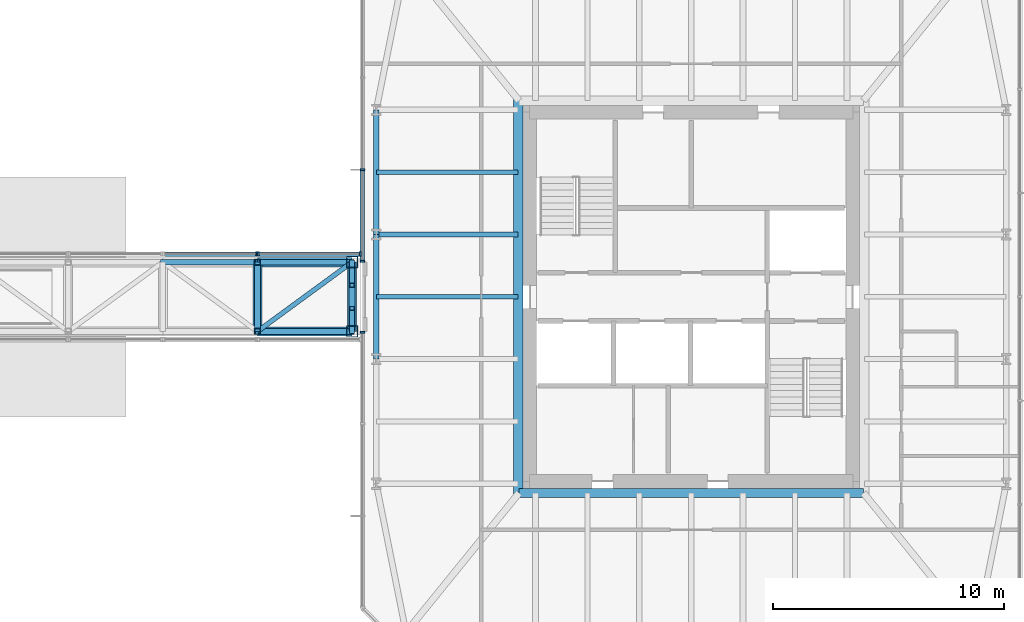
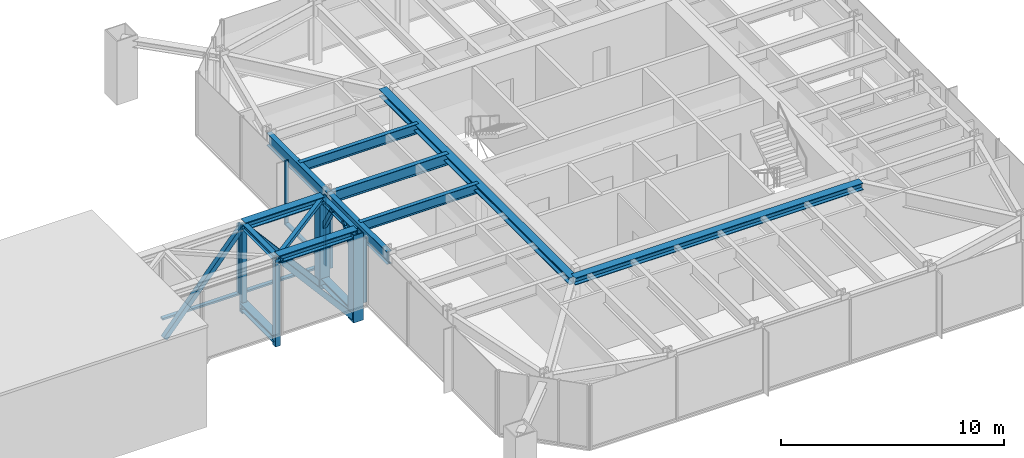
# One storey, part 11 of 28: 21 members, 11 beams, 4 elements without a shape of their own.
"""IFC4 building model written with IfcOpenShell, lengths in metres."""

from ifc_helpers import new_model, si_unit, direction, frame, origin, origin_2d, place, context, subcontext, project, spatial, rectangle, hollow_rectangle, i_section, extrude, material, material_profile, profile_set, type_object, element, aggregate, save


model = new_model("IFC4")

# Units and contexts
model_context = context("Model", 3, precision=1e-05, world=origin(), true_north=direction((0.0, 1.0)))
body_context = subcontext(model_context, "Body", "Model", "MODEL_VIEW")
ifc_project = project(units=[si_unit("LENGTHUNIT", "METRE"), si_unit("AREAUNIT", "SQUARE_METRE"), si_unit("VOLUMEUNIT", "CUBIC_METRE"), si_unit("PLANEANGLEUNIT", "RADIAN"), si_unit("MASSUNIT", "GRAM", prefix="KILO")], contexts=[model_context])

# Site, building, storey
site_placement = place(None, origin())
site = spatial("IfcSite", under=ifc_project, at=site_placement, CompositionType="ELEMENT")
building_placement = place(site_placement, origin())
building = spatial("IfcBuilding", under=site, at=building_placement, Name="Iwan Alto Co-Living Towers", CompositionType="ELEMENT")
storey_placement = place(building_placement, frame((0.0, 0.0, 98.0)))
storey = spatial("IfcBuildingStorey", under=building, at=storey_placement, Name="L26", CompositionType="ELEMENT", Elevation=98.0)

# Members
ifc_material_1 = material(Name="Steel ASTM A572 Gr 50", Category="steel")
ifc_material_profile_1 = material_profile(ifc_material_1, hollow_rectangle(XDim=0.5, YDim=0.5, WallThickness=0.031982421875, at=origin_2d()), Name="BOX 500X500X32")
ifc_profile_set_1 = profile_set([ifc_material_profile_1], Name="Steel ASTM A572 Gr 50")
member_type_1 = type_object("IfcMemberType", Name="BRIDGE END POST BOX 500X500X32", PredefinedType="POST", material=ifc_profile_set_1)
for number, where, z_axis, x_axis, name in (
    (1, (48.300048828125, -1.5, -0.779052734375), (0.0, 0.0, 1.0), (1.0, 0.0, 0.0), "BR1 truss S end post 2"),
    (2, (48.300048828125, 1.5, -0.779052734375), (0.0, 0.0, 1.0), (1.0, 0.0, 0.0), "BR1 truss N end post 2"),
):
    element("IfcMember", number, at=place(storey_placement, frame(where, z_axis=z_axis, x_axis=x_axis)), inside=storey, type_object=member_type_1, Name=name, PredefinedType="POST", context=body_context, shape_type="SweptSolid", body=[
        extrude(hollow_rectangle(XDim=0.5, YDim=0.5, WallThickness=0.031982421875, at=origin_2d()), origin(), (0.0, 0.0, 1.0), 4.779052734375),
    ])

# Beams
ifc_material_2 = material(Name="Steel ASTM A992 Gr 50", Category="steel")
ifc_material_profile_2 = material_profile(ifc_material_2, i_section(OverallWidth=0.393798828125, OverallDepth=0.3759765625, WebThickness=0.017333984375, FlangeThickness=0.027587890625, at=origin_2d()), Name="W14X145")
ifc_profile_set_2 = profile_set([ifc_material_profile_2], Name="Steel ASTM A992 Gr 50")
beam_type_1 = type_object("IfcBeamType", Name="BRIDGE FLOOR BEAM W14X145", PredefinedType="BEAM", material=ifc_profile_set_2)
for number, where, z_axis, x_axis, name in (
    (3, (44.199951171875, -1.5, -0.387939453125), (0.0, 1.0, 0.0), (-1.0, 0.0, 0.0), "BR1 floor beam 4"),
    (4, (48.300048828125, -1.5, -0.387939453125), (0.0, 1.0, 0.0), (-1.0, 0.0, 0.0), "BR1 floor beam 5"),
):
    element("IfcBeam", number, at=place(storey_placement, frame(where, z_axis=z_axis, x_axis=x_axis)), inside=storey, type_object=beam_type_1, Name=name, PredefinedType="BEAM", context=body_context, shape_type="SweptSolid", body=[
        extrude(i_section(OverallWidth=0.393798828125, OverallDepth=0.3759765625, WebThickness=0.017333984375, FlangeThickness=0.027587890625, at=origin_2d()), origin(), (0.0, 0.0, 1.0), 3.0),
    ])

# Members
ifc_material_3 = material(Name="Steel ASTM A500 Gr C", Category="steel")
ifc_material_profile_3 = material_profile(ifc_material_3, hollow_rectangle(XDim=0.203125, YDim=0.203125, WallThickness=0.01171875, at=origin_2d()), Name="HSS8X8X1/2")
ifc_profile_set_3 = profile_set([ifc_material_profile_3], Name="Steel ASTM A500 Gr C")
member_type_2 = type_object("IfcMemberType", Name="BRIDGE PORTAL KNEE BRACE HSS8X8X1/2", PredefinedType="BRACE", material=ifc_profile_set_3)
for number, where, z_axis, x_axis, name in (
    (5, (48.300048828125, -1.5, 2.300048828125), (0.0, 0.50703094594, 0.861927850727), (-1.0, 0.0, 0.0), "BR1 end portal knee brace T2 S"),
    (6, (48.300048828125, 1.5, 2.300048828125), (0.0, -0.50703094594, 0.861927850727), (1.0, 0.0, 0.0), "BR1 end portal knee brace T2 N"),
):
    element("IfcMember", number, at=place(storey_placement, frame(where, z_axis=z_axis, x_axis=x_axis)), inside=storey, type_object=member_type_2, Name=name, PredefinedType="BRACE", context=body_context, shape_type="SweptSolid", body=[
        extrude(hollow_rectangle(XDim=0.203125, YDim=0.203125, WallThickness=0.01171875, at=origin_2d()), origin(), (0.0, 0.0, 1.0), 1.97216796875),
    ])

# Beams
ifc_material_4 = material(Name="Steel ASTM A992 Gr 50", Category="steel")
ifc_material_profile_4 = material_profile(ifc_material_4, i_section(OverallWidth=0.25390625, OverallDepth=0.307373046875, WebThickness=0.0087890625, FlangeThickness=0.0146484375, at=origin_2d()), Name="W12X53")
ifc_profile_set_4 = profile_set([ifc_material_profile_4], Name="Steel ASTM A992 Gr 50")
beam_type_2 = type_object("IfcBeamType", Name="BRIDGE ROOF BEAM W12X53", PredefinedType="BEAM", material=ifc_profile_set_4)
for number, where, z_axis, x_axis, name in (
    (7, (44.199951171875, -1.5, 4.0), (0.0, 1.0, 0.0), (-1.0, 0.0, 0.0), "BR1 roof beam 4"),
    (8, (48.300048828125, -1.5, 4.0), (0.0, 1.0, 0.0), (-1.0, 0.0, 0.0), "BR1 roof beam 5"),
):
    element("IfcBeam", number, at=place(storey_placement, frame(where, z_axis=z_axis, x_axis=x_axis)), inside=storey, type_object=beam_type_2, Name=name, PredefinedType="BEAM", context=body_context, shape_type="SweptSolid", body=[
        extrude(i_section(OverallWidth=0.25390625, OverallDepth=0.307373046875, WebThickness=0.0087890625, FlangeThickness=0.0146484375, at=origin_2d()), origin(), (0.0, 0.0, 1.0), 3.0),
    ])

# Members
ifc_material_5 = material(Name="Steel ASTM A500 Gr C", Category="steel")
ifc_material_profile_5 = material_profile(ifc_material_5, hollow_rectangle(XDim=0.203125, YDim=0.203125, WallThickness=0.01171875, at=origin_2d()), Name="HSS8X8X1/2")
ifc_profile_set_5 = profile_set([ifc_material_profile_5], Name="Steel ASTM A500 Gr C")
member_type_3 = type_object("IfcMemberType", Name="BRIDGE TOP LATERAL BRACE HSS8X8X1/2", PredefinedType="BRACE", material=ifc_profile_set_5)
member_1_placement = place(storey_placement, frame((44.199951171875, -1.5, 4.0), z_axis=(0.807037028369, 0.590500833905, 0.0), x_axis=(-0.590500833905, 0.807037028369, 0.0)))
element("IfcMember", 9, at=member_1_placement, inside=storey, type_object=member_type_3, Name="BR1 top lateral brace 4", PredefinedType="BRACE", context=body_context, shape_type="SweptSolid", body=[
    extrude(hollow_rectangle(XDim=0.203125, YDim=0.203125, WallThickness=0.01171875, at=origin_2d()), origin(), (0.0, 0.0, 1.0), 5.080322265625),
])
ifc_material_6 = material(Name="Steel ASTM A992 Gr 50", Category="steel")
ifc_material_profile_6 = material_profile(ifc_material_6, i_section(OverallWidth=0.40380859375, OverallDepth=0.406494140625, WebThickness=0.027099609375, FlangeThickness=0.043701171875, at=origin_2d()), Name="W14X233")
ifc_profile_set_6 = profile_set([ifc_material_profile_6], Name="Steel ASTM A992 Gr 50")
member_type_4 = type_object("IfcMemberType", Name="BRIDGE TRUSS CHORD W14X233", PredefinedType="CHORD", material=ifc_profile_set_6)
for number, where, z_axis, x_axis, name in (
    (10, (44.199951171875, -1.5, 4.0), (1.0, 0.0, 0.0), (0.0, 1.0, 0.0), "BR1 truss S top chord 4"),
    (11, (44.199951171875, 1.5, 4.0), (1.0, 0.0, 0.0), (0.0, 1.0, 0.0), "BR1 truss N top chord 4"),
):
    element("IfcMember", number, at=place(storey_placement, frame(where, z_axis=z_axis, x_axis=x_axis)), inside=storey, type_object=member_type_4, Name=name, PredefinedType="CHORD", context=body_context, shape_type="SweptSolid", body=[
        extrude(i_section(OverallWidth=0.40380859375, OverallDepth=0.406494140625, WebThickness=0.027099609375, FlangeThickness=0.043701171875, at=origin_2d()), origin(), (0.0, 0.0, 1.0), 4.10009765625),
    ])
ifc_material_7 = material(Name="Steel ASTM A500 Gr C", Category="steel")
ifc_material_profile_7 = material_profile(ifc_material_7, hollow_rectangle(XDim=0.25390625, YDim=0.25390625, WallThickness=0.01171875, at=origin_2d()), Name="HSS10X10X1/2")
ifc_profile_set_7 = profile_set([ifc_material_profile_7], Name="Steel ASTM A500 Gr C")
member_type_5 = type_object("IfcMemberType", Name="BRIDGE TRUSS VERTICAL HSS10X10X1/2", PredefinedType="POST", material=ifc_profile_set_7)
for number, where, z_axis, x_axis, name in (
    (12, (44.199951171875, -1.5, -0.779052734375), (0.0, 0.0, 1.0), (1.0, 0.0, 0.0), "BR1 truss S vertical 2"),
    (13, (44.199951171875, 1.5, -0.779052734375), (0.0, 0.0, 1.0), (1.0, 0.0, 0.0), "BR1 truss N vertical 2"),
):
    element("IfcMember", number, at=place(storey_placement, frame(where, z_axis=z_axis, x_axis=x_axis)), inside=storey, type_object=member_type_5, Name=name, PredefinedType="POST", context=body_context, shape_type="SweptSolid", body=[
        extrude(hollow_rectangle(XDim=0.25390625, YDim=0.25390625, WallThickness=0.01171875, at=origin_2d()), origin(), (0.0, 0.0, 1.0), 4.779052734375),
    ])
ifc_material_8 = material(Name="Steel ASTM A500 Gr C", Category="steel")
ifc_material_profile_8 = material_profile(ifc_material_8, hollow_rectangle(XDim=0.25390625, YDim=0.25390625, WallThickness=0.01171875, at=origin_2d()), Name="HSS10X10X1/2")
ifc_profile_set_8 = profile_set([ifc_material_profile_8], Name="Steel ASTM A500 Gr C")
member_type_6 = type_object("IfcMemberType", Name="BRIDGE TRUSS WEB HSS10X10X1/2", PredefinedType="BRACE", material=ifc_profile_set_8)
member_2_placement = place(storey_placement, frame((44.199951171875, -1.5, 4.0), z_axis=(0.651136148628, 0.0, -0.758960944944), x_axis=(0.0, 1.0, 0.0)))
element("IfcMember", 14, at=member_2_placement, inside=storey, type_object=member_type_6, Name="BR1 truss S diagonal 4", PredefinedType="BRACE", context=body_context, shape_type="SweptSolid", body=[
    extrude(hollow_rectangle(XDim=0.25390625, YDim=0.25390625, WallThickness=0.01171875, at=origin_2d()), origin(), (0.0, 0.0, 1.0), 6.296875),
])
member_3_placement = place(storey_placement, frame((40.10009765625, 1.5, -0.779052734375), z_axis=(0.651113814296, 0.0, 0.75898010569), x_axis=(0.0, 1.0, 0.0)))
element("IfcMember", 15, at=member_3_placement, inside=storey, type_object=member_type_6, Name="BR1 truss N diagonal 3", PredefinedType="BRACE", context=body_context, shape_type="SweptSolid", body=[
    extrude(hollow_rectangle(XDim=0.25390625, YDim=0.25390625, WallThickness=0.01171875, at=origin_2d()), origin(), (0.0, 0.0, 1.0), 6.296630859375),
])
member_4_placement = place(storey_placement, frame((44.199951171875, 1.5, 4.0), z_axis=(0.651136148628, 0.0, -0.758960944944), x_axis=(0.0, 1.0, 0.0)))
element("IfcMember", 16, at=member_4_placement, inside=storey, type_object=member_type_6, Name="BR1 truss N diagonal 4", PredefinedType="BRACE", context=body_context, shape_type="SweptSolid", body=[
    extrude(hollow_rectangle(XDim=0.25390625, YDim=0.25390625, WallThickness=0.01171875, at=origin_2d()), origin(), (0.0, 0.0, 1.0), 6.296875),
])

# Curtain wall, members
ifc_material_9 = material(Name="Bronze aluminium unitised frame", Category="aluminium")
curtain_wall_type_1 = type_object("IfcCurtainWallType", Name="CURTAIN WALL CW-C", PredefinedType="NOTDEFINED", material=ifc_material_9)
curtain_wall_1_placement = place(storey_placement, origin())
curtain_wall_1 = element("IfcCurtainWall", 17, at=curtain_wall_1_placement, inside=storey, type_object=curtain_wall_type_1, Name="T2 curtain wall W L26 part 1", PredefinedType="NOTDEFINED")
ifc_material_10 = material(Name="Aluminium 6063-T6 bronze anodised", Category="aluminium")
ifc_material_profile_9 = material_profile(ifc_material_10, rectangle(XDim=0.199951171875, YDim=0.080078125, at=origin_2d()), Name="AL 80X200")
ifc_profile_set_9 = profile_set([ifc_material_profile_9], Name="Aluminium 6063-T6 bronze anodised")
member_type_7 = type_object("IfcMemberType", Name="CW-C MULLION 80X200", PredefinedType="MULLION", material=ifc_profile_set_9)
member_5_placement = place(storey_placement, frame((48.75, 5.5, 0.0), z_axis=(0.0, 0.0, 1.0), x_axis=(1.0, 0.0, 0.0)))
member_5 = element("IfcMember", 18, at=member_5_placement, type_object=member_type_7, Name="CW-C mullion 3", PredefinedType="MULLION", context=body_context, shape_type="SweptSolid", body=[
    extrude(rectangle(XDim=0.199951171875, YDim=0.080078125, at=origin_2d()), origin(), (0.0, 0.0, 1.0), 3.5),
])
member_6_placement = place(storey_placement, frame((48.75, 1.5400390625, 0.0), z_axis=(0.0, 0.0, 1.0), x_axis=(1.0, 0.0, 0.0)))
member_6 = element("IfcMember", 19, at=member_6_placement, type_object=member_type_7, Name="CW-C mullion 4", PredefinedType="MULLION", context=body_context, shape_type="SweptSolid", body=[
    extrude(rectangle(XDim=0.199951171875, YDim=0.080078125, at=origin_2d()), origin(), (0.0, 0.0, 1.0), 3.5),
])

# Curtain wall, member
curtain_wall_2_placement = place(storey_placement, origin())
curtain_wall_2 = element("IfcCurtainWall", 20, at=curtain_wall_2_placement, inside=storey, type_object=curtain_wall_type_1, Name="T2 curtain wall W L26 part 2", PredefinedType="NOTDEFINED")
member_7_placement = place(storey_placement, frame((48.75, -1.5400390625, 0.0), z_axis=(0.0, 0.0, 1.0), x_axis=(1.0, 0.0, 0.0)))
member_7 = element("IfcMember", 21, at=member_7_placement, type_object=member_type_7, Name="CW-C mullion 1", PredefinedType="MULLION", context=body_context, shape_type="SweptSolid", body=[
    extrude(rectangle(XDim=0.199951171875, YDim=0.080078125, at=origin_2d()), origin(), (0.0, 0.0, 1.0), 3.5),
])
aggregate(curtain_wall_2, [member_7])

# Member
ifc_material_11 = material(Name="Aluminium 6063-T6 bronze anodised", Category="aluminium")
ifc_material_profile_10 = material_profile(ifc_material_11, rectangle(XDim=0.199951171875, YDim=0.10009765625, at=origin_2d()), Name="AL 200X100")
ifc_profile_set_10 = profile_set([ifc_material_profile_10], Name="Aluminium 6063-T6 bronze anodised")
member_type_8 = type_object("IfcMemberType", Name="CW-C TRANSOM 200X100", PredefinedType="USERDEFINED", material=ifc_profile_set_10)
member_8_placement = place(storey_placement, frame((48.75, 5.4599609375, 0.050048828125), z_axis=(0.0, -1.0, 0.0), x_axis=(1.0, 0.0, 0.0)))
member_8 = element("IfcMember", 22, at=member_8_placement, type_object=member_type_8, Name="CW-C transom 3.1", ObjectType="TRANSOM", PredefinedType="USERDEFINED", context=body_context, shape_type="SweptSolid", body=[
    extrude(rectangle(XDim=0.199951171875, YDim=0.10009765625, at=origin_2d()), origin(), (0.0, 0.0, 1.0), 3.8798828125),
])

aggregate(curtain_wall_1, [member_5, member_6, member_8])

# Curtain wall, member
ifc_material_12 = material(Name="Bronze aluminium stick frame", Category="aluminium")
curtain_wall_type_2 = type_object("IfcCurtainWallType", Name="CURTAIN WALL CW-F", PredefinedType="NOTDEFINED", material=ifc_material_12)
curtain_wall_3_placement = place(storey_placement, origin())
curtain_wall_3 = element("IfcCurtainWall", 23, at=curtain_wall_3_placement, inside=storey, type_object=curtain_wall_type_2, Name="Skybridge BR1 glazing N 3", PredefinedType="NOTDEFINED")
ifc_material_13 = material(Name="Aluminium 6063-T6 bronze anodised", Category="aluminium")
ifc_material_profile_11 = material_profile(ifc_material_13, rectangle(XDim=0.199951171875, YDim=0.080078125, at=origin_2d()), Name="AL 80X200")
ifc_profile_set_11 = profile_set([ifc_material_profile_11], Name="Aluminium 6063-T6 bronze anodised")
member_type_9 = type_object("IfcMemberType", Name="CW-F MULLION 80X200", PredefinedType="MULLION", material=ifc_profile_set_11)
member_9_placement = place(storey_placement, frame((44.159912109375, 1.85009765625, 0.0), z_axis=(0.0, 0.0, 1.0), x_axis=(0.0, -1.0, 0.0)))
member_9 = element("IfcMember", 24, at=member_9_placement, type_object=member_type_9, Name="CW-F mullion 1", PredefinedType="MULLION", context=body_context, shape_type="SweptSolid", body=[
    extrude(rectangle(XDim=0.199951171875, YDim=0.080078125, at=origin_2d()), origin(), (0.0, 0.0, 1.0), 3.85009765625),
])

# Curtain wall, members
curtain_wall_4_placement = place(storey_placement, origin())
curtain_wall_4 = element("IfcCurtainWall", 25, at=curtain_wall_4_placement, inside=storey, type_object=curtain_wall_type_2, Name="Skybridge BR1 glazing N 4", PredefinedType="NOTDEFINED")
member_10_placement = place(storey_placement, frame((48.659912109375, 1.85009765625, 0.0), z_axis=(0.0, 0.0, 1.0), x_axis=(0.0, -1.0, 0.0)))
member_10 = element("IfcMember", 26, at=member_10_placement, type_object=member_type_9, Name="CW-F mullion 1", PredefinedType="MULLION", context=body_context, shape_type="SweptSolid", body=[
    extrude(rectangle(XDim=0.199951171875, YDim=0.080078125, at=origin_2d()), origin(), (0.0, 0.0, 1.0), 3.85009765625),
])
member_11_placement = place(storey_placement, frame((44.239990234375, 1.85009765625, 0.0), z_axis=(0.0, 0.0, 1.0), x_axis=(0.0, -1.0, 0.0)))
member_11 = element("IfcMember", 27, at=member_11_placement, type_object=member_type_9, Name="CW-F mullion 2", PredefinedType="MULLION", context=body_context, shape_type="SweptSolid", body=[
    extrude(rectangle(XDim=0.199951171875, YDim=0.080078125, at=origin_2d()), origin(), (0.0, 0.0, 1.0), 3.85009765625),
])

# Member
ifc_material_14 = material(Name="Aluminium 6063-T6 bronze anodised", Category="aluminium")
ifc_material_profile_12 = material_profile(ifc_material_14, rectangle(XDim=0.199951171875, YDim=0.10009765625, at=origin_2d()), Name="AL 200X100")
ifc_profile_set_12 = profile_set([ifc_material_profile_12], Name="Aluminium 6063-T6 bronze anodised")
member_type_10 = type_object("IfcMemberType", Name="CW-F TRANSOM 200X100", PredefinedType="USERDEFINED", material=ifc_profile_set_12)
member_12_placement = place(storey_placement, frame((44.1201171875, 1.85009765625, 0.050048828125), z_axis=(-1.0, 0.0, 0.0), x_axis=(0.0, -1.0, 0.0)))
member_12 = element("IfcMember", 28, at=member_12_placement, type_object=member_type_10, Name="CW-F transom 1.1", ObjectType="TRANSOM", PredefinedType="USERDEFINED", context=body_context, shape_type="SweptSolid", body=[
    extrude(rectangle(XDim=0.199951171875, YDim=0.10009765625, at=origin_2d()), origin(), (0.0, 0.0, 1.0), 3.940185546875),
])

aggregate(curtain_wall_3, [member_9, member_12])

member_13_placement = place(storey_placement, frame((48.6201171875, 1.85009765625, 0.050048828125), z_axis=(-1.0, 0.0, 0.0), x_axis=(0.0, -1.0, 0.0)))
member_13 = element("IfcMember", 29, at=member_13_placement, type_object=member_type_10, Name="CW-F transom 1.1", ObjectType="TRANSOM", PredefinedType="USERDEFINED", context=body_context, shape_type="SweptSolid", body=[
    extrude(rectangle(XDim=0.199951171875, YDim=0.10009765625, at=origin_2d()), origin(), (0.0, 0.0, 1.0), 4.340087890625),
])

aggregate(curtain_wall_4, [member_10, member_11, member_13])

# Beams
ifc_material_15 = material(Name="Steel ASTM A992 Gr 50", Category="steel")
ifc_material_profile_13 = material_profile(ifc_material_15, i_section(OverallWidth=0.398681640625, OverallDepth=0.385986328125, WebThickness=0.02099609375, FlangeThickness=0.033203125, at=origin_2d()), Name="W14X176")
ifc_profile_set_13 = profile_set([ifc_material_profile_13], Name="Steel ASTM A992 Gr 50")
beam_type_3 = type_object("IfcBeamType", Name="T2 CORE LEDGER BEAM W14X176", PredefinedType="BEAM", material=ifc_profile_set_13)
beam_1_placement = place(storey_placement, frame((55.538330078125, -8.49951171875, 3.076904296875), z_axis=(1.0, 0.0, 0.0), x_axis=(0.0, 1.0, 0.0)))
element("IfcBeam", 30, at=beam_1_placement, inside=storey, type_object=beam_type_3, Name="T2 core ledger beam S L27", PredefinedType="BEAM", context=body_context, shape_type="SweptSolid", body=[
    extrude(i_section(OverallWidth=0.398681640625, OverallDepth=0.385986328125, WebThickness=0.02099609375, FlangeThickness=0.033203125, at=origin_2d()), origin(), (0.0, 0.0, 1.0), 14.92333984375),
])
beam_2_placement = place(storey_placement, frame((55.50048828125, 8.5458984375, 3.076904296875), z_axis=(0.0, -1.0, 0.0), x_axis=(1.0, 0.0, 0.0)))
element("IfcBeam", 31, at=beam_2_placement, inside=storey, type_object=beam_type_3, Name="T2 core ledger beam W L27", PredefinedType="BEAM", context=body_context, shape_type="SweptSolid", body=[
    extrude(i_section(OverallWidth=0.398681640625, OverallDepth=0.385986328125, WebThickness=0.02099609375, FlangeThickness=0.033203125, at=origin_2d()), origin(), (0.0, 0.0, 1.0), 17.091796875),
])
ifc_material_16 = material(Name="Steel ASTM A992 Gr 50", Category="steel")
ifc_material_profile_14 = material_profile(ifc_material_16, i_section(OverallWidth=0.25390625, OverallDepth=0.683349609375, WebThickness=0.012451171875, FlangeThickness=0.018798828125, at=origin_2d()), Name="W27X94")
ifc_profile_set_14 = profile_set([ifc_material_profile_14], Name="Steel ASTM A992 Gr 50")
beam_type_4 = type_object("IfcBeamType", Name="T2 EDGE BEAM W27X94", PredefinedType="BEAM", material=ifc_profile_set_14)
beam_3_placement = place(storey_placement, frame((49.35009765625, 8.10009765625, 2.928466796875), z_axis=(0.0, -1.0, 0.0), x_axis=(1.0, 0.0, 0.0)))
element("IfcBeam", 32, at=beam_3_placement, inside=storey, type_object=beam_type_4, Name="T2 edge beam W1 L27", PredefinedType="BEAM", context=body_context, shape_type="SweptSolid", body=[
    extrude(i_section(OverallWidth=0.25390625, OverallDepth=0.683349609375, WebThickness=0.012451171875, FlangeThickness=0.018798828125, at=origin_2d()), origin(), (0.0, 0.0, 1.0), 5.400146484375),
])
beam_4_placement = place(storey_placement, frame((49.35009765625, 2.699951171875, 2.928466796875), z_axis=(0.0, -1.0, 0.0), x_axis=(1.0, 0.0, 0.0)))
element("IfcBeam", 33, at=beam_4_placement, inside=storey, type_object=beam_type_4, Name="T2 edge beam W2 L27", PredefinedType="BEAM", context=body_context, shape_type="SweptSolid", body=[
    extrude(i_section(OverallWidth=0.25390625, OverallDepth=0.683349609375, WebThickness=0.012451171875, FlangeThickness=0.018798828125, at=origin_2d()), origin(), (0.0, 0.0, 1.0), 5.39990234375),
])
ifc_material_17 = material(Name="Steel ASTM A992 Gr 50", Category="steel")
ifc_material_profile_15 = material_profile(ifc_material_17, i_section(OverallWidth=0.228271484375, OverallDepth=0.607177734375, WebThickness=0.01123046875, FlangeThickness=0.017333984375, at=origin_2d()), Name="W24X76")
ifc_profile_set_15 = profile_set([ifc_material_profile_15], Name="Steel ASTM A992 Gr 50")
beam_type_5 = type_object("IfcBeamType", Name="T2 RADIAL BEAM W24X76", PredefinedType="BEAM", material=ifc_profile_set_15)
beam_5_placement = place(storey_placement, frame((49.35009765625, 2.699951171875, 2.966552734375), z_axis=(1.0, 0.0, 0.0), x_axis=(0.0, 1.0, 0.0)))
element("IfcBeam", 34, at=beam_5_placement, inside=storey, type_object=beam_type_5, Name="T2 radial beam W2 L27", PredefinedType="BEAM", context=body_context, shape_type="SweptSolid", body=[
    extrude(i_section(OverallWidth=0.228271484375, OverallDepth=0.607177734375, WebThickness=0.01123046875, FlangeThickness=0.017333984375, at=origin_2d()), origin(), (0.0, 0.0, 1.0), 6.150390625),
])
ifc_material_18 = material(Name="Steel ASTM A992 Gr 50", Category="steel")
ifc_material_profile_16 = material_profile(ifc_material_18, i_section(OverallWidth=0.209228515625, OverallDepth=0.533447265625, WebThickness=0.01025390625, FlangeThickness=0.015625, at=origin_2d()), Name="W21X62")
ifc_profile_set_16 = profile_set([ifc_material_profile_16], Name="Steel ASTM A992 Gr 50")
beam_type_6 = type_object("IfcBeamType", Name="T2 SECONDARY BEAM W21X62", PredefinedType="JOIST", material=ifc_profile_set_16)
for number, where, z_axis, x_axis, name in (
    (35, (49.35009765625, 5.39990234375, 3.00341796875), (1.0, 0.0, 0.0), (0.0, 1.0, 0.0), "T2 secondary beam W1 L27"),
    (36, (49.35009765625, 0.0, 3.00341796875), (1.0, 0.0, 0.0), (0.0, 1.0, 0.0), "T2 secondary beam W2 L27"),
):
    element("IfcBeam", number, at=place(storey_placement, frame(where, z_axis=z_axis, x_axis=x_axis)), inside=storey, type_object=beam_type_6, Name=name, PredefinedType="JOIST", context=body_context, shape_type="SweptSolid", body=[
        extrude(i_section(OverallWidth=0.209228515625, OverallDepth=0.533447265625, WebThickness=0.01025390625, FlangeThickness=0.015625, at=origin_2d()), origin(), (0.0, 0.0, 1.0), 6.150390625),
    ])

save(model, "model.ifc")
